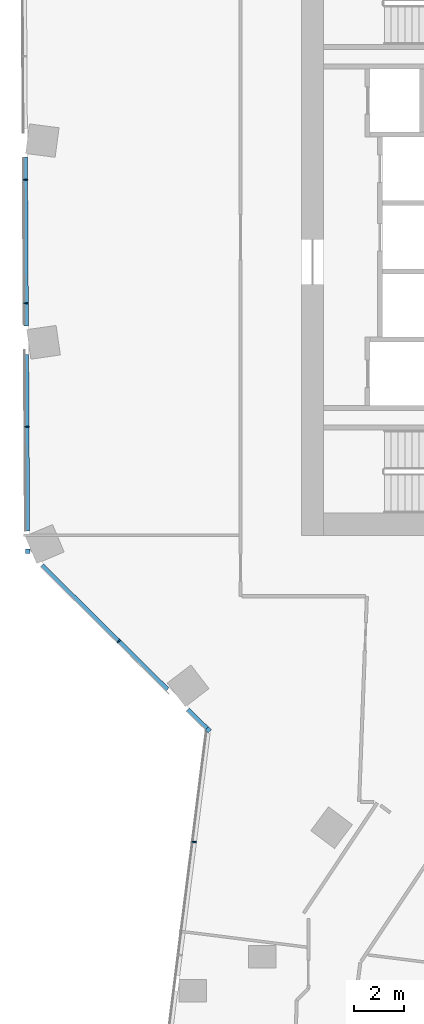
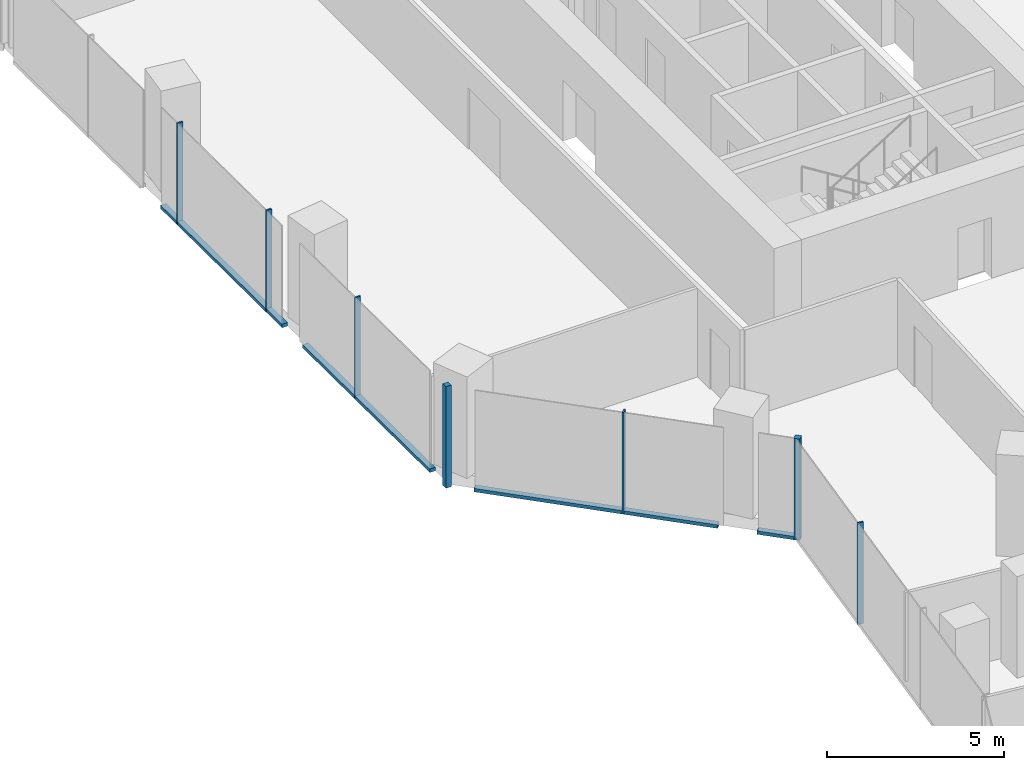
# One storey, part 6 of 27: 11 members, 3 elements without a shape of their own.
"""IFC4 building model written with IfcOpenShell, lengths in metres."""

from ifc_helpers import new_model, si_unit, direction, frame, origin, origin_2d, place, context, subcontext, project, spatial, rectangle, extrude, material, material_profile, profile_set, type_object, element, aggregate, save


model = new_model("IFC4")

# Units and contexts
model_context = context("Model", 3, precision=1e-05, world=origin(), true_north=direction((0.0, 1.0)))
body_context = subcontext(model_context, "Body", "Model", "MODEL_VIEW")
ifc_project = project(units=[si_unit("LENGTHUNIT", "METRE"), si_unit("AREAUNIT", "SQUARE_METRE"), si_unit("VOLUMEUNIT", "CUBIC_METRE"), si_unit("PLANEANGLEUNIT", "RADIAN"), si_unit("MASSUNIT", "GRAM", prefix="KILO")], contexts=[model_context])

# Site, building, storey
site_placement = place(None, origin())
site = spatial("IfcSite", under=ifc_project, at=site_placement, CompositionType="ELEMENT")
building_placement = place(site_placement, origin())
building = spatial("IfcBuilding", under=site, at=building_placement, Name="Orlundy Tower", CompositionType="ELEMENT")
storey_placement = place(building_placement, frame((0.0, 0.0, 195.60009765625)))
storey = spatial("IfcBuildingStorey", under=building, at=storey_placement, Name="L51", CompositionType="ELEMENT", Elevation=195.60009765625)

# Curtain wall, member
ifc_material_1 = material(Name="Aluminium bronze anodised", Category="aluminium")
curtain_wall_type = type_object("IfcCurtainWallType", Name="CW1 wall", PredefinedType="NOTDEFINED", material=ifc_material_1)
curtain_wall_1_placement = place(storey_placement, origin())
curtain_wall_1 = element("IfcCurtainWall", 1, at=curtain_wall_1_placement, inside=storey, type_object=curtain_wall_type, Name="CW1 run 01", PredefinedType="NOTDEFINED")
ifc_material_2 = material(Name="Aluminium bronze anodised", Category="aluminium")
ifc_material_profile_1 = material_profile(ifc_material_2, rectangle(XDim=0.179931640625, YDim=0.179931640625, at=origin_2d()), Name="CW1 corner post 180x180")
ifc_profile_set_1 = profile_set([ifc_material_profile_1], Name="Aluminium bronze anodised")
member_type_1 = type_object("IfcMemberType", Name="CW1 corner post 180x180", PredefinedType="MULLION", material=ifc_profile_set_1)
member_1_placement = place(storey_placement, frame((-22.741943359375, -19.829833984375, -0.420166015625), z_axis=(0.0, 0.0, 1.0), x_axis=(-0.702991811789, -0.711197941896, 0.0)))
member_1 = element("IfcMember", 2, at=member_1_placement, type_object=member_type_1, Name="CW1 mullion 7", PredefinedType="MULLION", context=body_context, shape_type="SweptSolid", body=[
    extrude(rectangle(XDim=0.179931640625, YDim=0.179931640625, at=origin_2d()), origin(), (0.0, 0.0, 1.0), 3.5),
])

curtain_wall_2_placement = place(storey_placement, origin())
curtain_wall_2 = element("IfcCurtainWall", 3, at=curtain_wall_2_placement, inside=storey, type_object=curtain_wall_type, Name="CW1 run 02", PredefinedType="NOTDEFINED")
member_2_placement = place(storey_placement, frame((-30.016845703125, -12.638916015625, -0.420166015625), z_axis=(0.0, 0.0, 1.0), x_axis=(-0.999982980873, -0.005834206419, 0.0)))
member_2 = element("IfcMember", 4, at=member_2_placement, type_object=member_type_1, Name="CW1 mullion 9", PredefinedType="MULLION", context=body_context, shape_type="SweptSolid", body=[
    extrude(rectangle(XDim=0.179931640625, YDim=0.179931640625, at=origin_2d()), origin(), (0.0, 0.0, 1.0), 3.5),
])

curtain_wall_3_placement = place(storey_placement, origin())
curtain_wall_3 = element("IfcCurtainWall", 5, at=curtain_wall_3_placement, inside=storey, type_object=curtain_wall_type, Name="CW1 run 00", PredefinedType="NOTDEFINED")
ifc_material_3 = material(Name="Aluminium bronze anodised", Category="aluminium")
ifc_material_profile_2 = material_profile(ifc_material_3, rectangle(XDim=0.179931640625, YDim=0.050048828125, at=origin_2d()), Name="CW1 mullion 50x180")
ifc_profile_set_2 = profile_set([ifc_material_profile_2], Name="Aluminium bronze anodised")
member_type_2 = type_object("IfcMemberType", Name="CW1 mullion 50x180", PredefinedType="MULLION", material=ifc_profile_set_2)
member_3_placement = place(storey_placement, frame((-23.308837890625, -24.338623046875, -0.420166015625), z_axis=(0.0, 0.0, 1.0), x_axis=(-0.992186526754, 0.124763360518, 0.0)))
member_3 = element("IfcMember", 6, at=member_3_placement, type_object=member_type_2, Name="CW1 mullion 6", PredefinedType="MULLION", context=body_context, shape_type="SweptSolid", body=[
    extrude(rectangle(XDim=0.179931640625, YDim=0.050048828125, at=origin_2d()), origin(), (0.0, 0.0, 1.0), 3.5),
])
aggregate(curtain_wall_3, [member_3])

# Member
member_4_placement = place(storey_placement, frame((-26.350341796875, -16.262939453125, -0.420166015625), z_axis=(0.0, 0.0, 1.0), x_axis=(-0.702991811789, -0.711197941896, 0.0)))
member_4 = element("IfcMember", 7, at=member_4_placement, type_object=member_type_2, Name="CW1 mullion 8", PredefinedType="MULLION", context=body_context, shape_type="SweptSolid", body=[
    extrude(rectangle(XDim=0.179931640625, YDim=0.050048828125, at=origin_2d()), origin(), (0.0, 0.0, 1.0), 3.5),
])

member_5_placement = place(storey_placement, frame((-30.0458984375, -7.630859375, -0.420166015625), z_axis=(0.0, 0.0, 1.0), x_axis=(-0.999982980873, -0.005834206419, 0.0)))
member_5 = element("IfcMember", 8, at=member_5_placement, type_object=member_type_2, Name="CW1 mullion 10", PredefinedType="MULLION", context=body_context, shape_type="SweptSolid", body=[
    extrude(rectangle(XDim=0.179931640625, YDim=0.050048828125, at=origin_2d()), origin(), (0.0, 0.0, 1.0), 3.5),
])

member_6_placement = place(storey_placement, frame((-30.074951171875, -2.660400390625, -0.420166015625), z_axis=(0.0, 0.0, 1.0), x_axis=(-0.999982980873, -0.005834206419, 0.0)))
member_6 = element("IfcMember", 9, at=member_6_placement, type_object=member_type_2, Name="CW1 mullion 11", PredefinedType="MULLION", context=body_context, shape_type="SweptSolid", body=[
    extrude(rectangle(XDim=0.179931640625, YDim=0.050048828125, at=origin_2d()), origin(), (0.0, 0.0, 1.0), 3.5),
])

member_7_placement = place(storey_placement, frame((-30.10400390625, 2.310302734375, -0.420166015625), z_axis=(0.0, 0.0, 1.0), x_axis=(-0.999982980873, -0.005834206419, 0.0)))
member_7 = element("IfcMember", 10, at=member_7_placement, type_object=member_type_2, Name="CW1 mullion 12", PredefinedType="MULLION", context=body_context, shape_type="SweptSolid", body=[
    extrude(rectangle(XDim=0.179931640625, YDim=0.050048828125, at=origin_2d()), origin(), (0.0, 0.0, 1.0), 3.5),
])

ifc_material_4 = material(Name="Aluminium bronze anodised", Category="aluminium")
ifc_material_profile_3 = material_profile(ifc_material_4, rectangle(XDim=0.179931640625, YDim=0.1201171875, at=origin_2d()), Name="CW1 transom 180x120")
ifc_profile_set_3 = profile_set([ifc_material_profile_3], Name="Aluminium bronze anodised")
member_type_3 = type_object("IfcMemberType", Name="CW1 transom 180x120", PredefinedType="USERDEFINED", material=ifc_profile_set_3)
member_8_placement = place(storey_placement, frame((-22.805908203125, -19.7666015625, -0.360107421875), z_axis=(-0.711188757581, 0.703001103193, 0.0), x_axis=(-0.703001103193, -0.711188757581, 0.0)))
member_8 = element("IfcMember", 11, at=member_8_placement, type_object=member_type_3, Name="CW1 transom", ObjectType="TRANSOM", PredefinedType="USERDEFINED", context=body_context, shape_type="SweptSolid", body=[
    extrude(rectangle(XDim=0.179931640625, YDim=0.1201171875, at=origin_2d()), origin(), (0.0, 0.0, 1.0), 1.073486328125),
])

member_9_placement = place(storey_placement, frame((-24.38623046875, -18.204345703125, -0.360107421875), z_axis=(-0.711200782935, 0.702988937575, 0.0), x_axis=(-0.702988937575, -0.711200782935, 0.0)))
member_9 = element("IfcMember", 12, at=member_9_placement, type_object=member_type_3, Name="CW1 transom", ObjectType="TRANSOM", PredefinedType="USERDEFINED", context=body_context, shape_type="SweptSolid", body=[
    extrude(rectangle(XDim=0.179931640625, YDim=0.1201171875, at=origin_2d()), origin(), (0.0, 0.0, 1.0), 7.10546875),
])

aggregate(curtain_wall_1, [member_1, member_4, member_8, member_9])

member_10_placement = place(storey_placement, frame((-30.021484375, -11.826904296875, -0.360107421875), z_axis=(-0.005841021852, 0.999982941086, 0.0), x_axis=(-0.999982941086, -0.005841021852, 0.0)))
member_10 = element("IfcMember", 13, at=member_10_placement, type_object=member_type_3, Name="CW1 transom", ObjectType="TRANSOM", PredefinedType="USERDEFINED", context=body_context, shape_type="SweptSolid", body=[
    extrude(rectangle(XDim=0.179931640625, YDim=0.1201171875, at=origin_2d()), origin(), (0.0, 0.0, 1.0), 7.10546875),
])

member_11_placement = place(storey_placement, frame((-30.069580078125, -3.572265625, -0.360107421875), z_axis=(-0.005856888404, 0.999982848282, 0.0), x_axis=(-0.999982848282, -0.005856888404, 0.0)))
member_11 = element("IfcMember", 14, at=member_11_placement, type_object=member_type_3, Name="CW1 transom", ObjectType="TRANSOM", PredefinedType="USERDEFINED", context=body_context, shape_type="SweptSolid", body=[
    extrude(rectangle(XDim=0.179931640625, YDim=0.1201171875, at=origin_2d()), origin(), (0.0, 0.0, 1.0), 6.79443359375),
])

aggregate(curtain_wall_2, [member_2, member_5, member_6, member_7, member_10, member_11])

save(model, "model.ifc")
